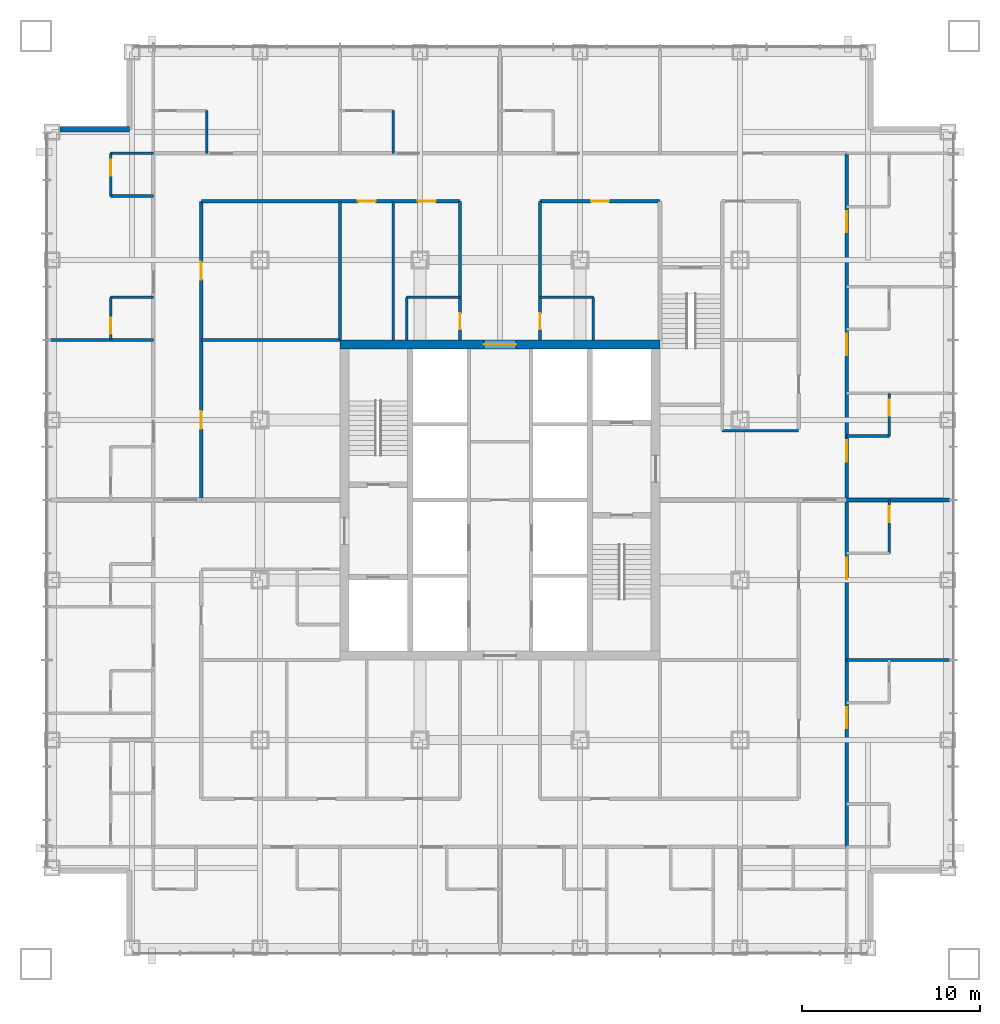
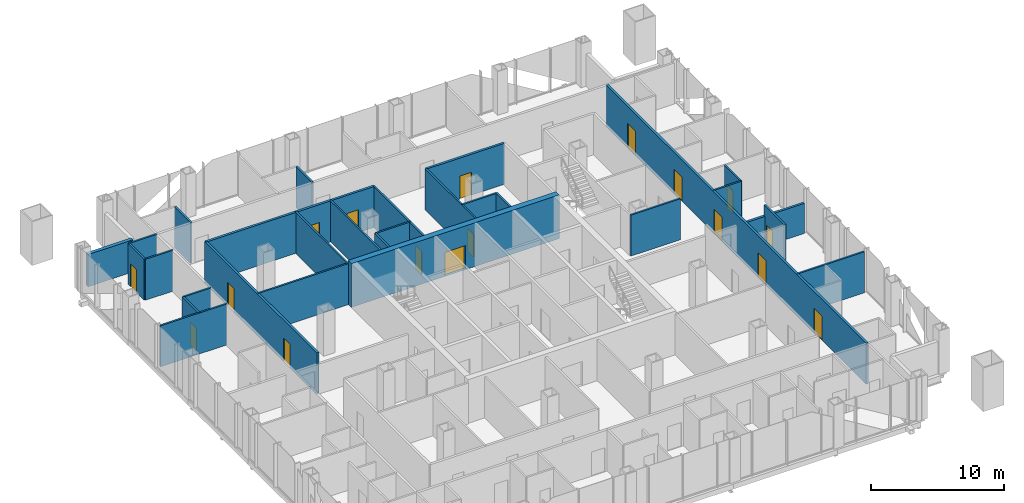
# One storey, part 10 of 13: 29 walls, 17 doors, 17 openings.
"""IFC4 building model written with IfcOpenShell, lengths in metres."""

from ifc_helpers import new_model, si_unit, direction, frame, frame_2d, origin, place, context, subcontext, project, spatial, rectangle, extrude, material, layer, layer_set, type_object, element, fill, save


model = new_model("IFC4")

# Units and contexts
model_context = context("Model", 3, precision=1e-05, world=origin(), true_north=direction((0.0, 1.0)))
body_context = subcontext(model_context, "Body", "Model", "MODEL_VIEW")
ifc_project = project(units=[si_unit("LENGTHUNIT", "METRE"), si_unit("AREAUNIT", "SQUARE_METRE"), si_unit("VOLUMEUNIT", "CUBIC_METRE"), si_unit("PLANEANGLEUNIT", "RADIAN"), si_unit("MASSUNIT", "GRAM", prefix="KILO")], contexts=[model_context])

# Site, building, storey
site_placement = place(None, origin())
site = spatial("IfcSite", under=ifc_project, at=site_placement, CompositionType="ELEMENT")
building_placement = place(site_placement, origin())
building = spatial("IfcBuilding", under=site, at=building_placement, Name="Malebo Sky Hospital", CompositionType="ELEMENT")
storey_placement = place(building_placement, frame((0.0, 0.0, 35.0)))
storey = spatial("IfcBuildingStorey", under=building, at=storey_placement, Name="L07", CompositionType="ELEMENT", Elevation=35.0)

# Wall, opening, door
ifc_material_1 = material(Name="Concrete C80/95", Category="concrete")
ifc_layer_1 = layer(ifc_material_1, 0.5)
ifc_layer_set_1 = layer_set([ifc_layer_1], Name="CORE WALL 500")
wall_type_1 = type_object("IfcWallType", Name="CORE WALL 500", PredefinedType="SHEAR", material=ifc_layer_set_1)
wall_1_placement = place(storey_placement, frame((51.0, 70.75, 0.0), z_axis=(0.0, 0.0, 1.0), x_axis=(1.0, 0.0, 0.0)))
wall_1 = element("IfcWall", 1, at=wall_1_placement, inside=storey, type_object=wall_type_1, Name="Core wall N L07", PredefinedType="SHEAR", context=body_context, shape_type="SweptSolid", body=[
    extrude(rectangle(XDim=18.0, YDim=0.5, at=frame_2d((9.0, 0.0))), origin(), (0.0, 0.0, 1.0), 4.0),
])
opening_1_placement = place(wall_1_placement, frame((8.10009765625, 0.0, 0.0)))
opening_1 = element("IfcOpeningElement", 2, at=opening_1_placement, cuts=wall_1, Name="Opening D06", PredefinedType="OPENING", context=body_context, shape_type="SweptSolid", body=[
    extrude(rectangle(XDim=1.800048828125, YDim=2.199951171875, at=frame_2d((0.89990234375, 1.10009765625))), frame((0.0, 0.260009765625, 0.0), z_axis=(0.0, -1.0, 0.0), x_axis=(1.0, 0.0, 0.0)), (0.0, 0.0, 1.0), 0.52001953125),
])
ifc_material_2 = material(Name="Hardwood-faced door leaf in steel frame", Category="steel")
door_type_1 = type_object("IfcDoorType", Name="LOBBY DOOR PAIR 1800", OperationType="DOUBLE_DOOR_SINGLE_SWING", PredefinedType="DOOR", material=ifc_material_2)
door_1_placement = place(opening_1_placement, origin())
door_1 = element("IfcDoor", 3, at=door_1_placement, inside=storey, type_object=door_type_1, Name="staff rest room door north", OperationType="DOUBLE_DOOR_SINGLE_SWING", OverallHeight=2.199951171875, OverallWidth=1.800048828125, PredefinedType="DOOR", context=body_context, shape_type="SweptSolid", body=[
    extrude(rectangle(XDim=1.800048828125, YDim=2.199951171875, at=frame_2d((0.89990234375, 1.10009765625))), frame((0.0, 0.02490234375, 0.0), z_axis=(0.0, -1.0, 0.0), x_axis=(1.0, 0.0, 0.0)), (0.0, 0.0, 1.0), 0.050048828125),
])
fill(opening_1, door_1)

# Wall, openings, doors
ifc_material_3 = material(Name="Gypsum board on steel studs", Category="steel")
ifc_layer_2 = layer(ifc_material_3, 0.199951171875)
ifc_layer_set_2 = layer_set([ifc_layer_2], Name="CORRIDOR WALL 200")
wall_type_2 = type_object("IfcWallType", Name="CORRIDOR WALL 200", PredefinedType="PARTITIONING", material=ifc_layer_set_2)
wall_2_placement = place(storey_placement, frame((43.199951171875, 78.800048828125, 0.0), z_axis=(0.0, 0.0, 1.0), x_axis=(1.0, 0.0, 0.0)))
wall_2 = element("IfcWall", 4, at=wall_2_placement, inside=storey, type_object=wall_type_2, Name="Corridor Wall 200 NCI1", PredefinedType="PARTITIONING", context=body_context, shape_type="SweptSolid", body=[
    extrude(rectangle(XDim=14.550048828125, YDim=0.199951171875, at=frame_2d((7.27490234375, 0.0))), origin(), (0.0, 0.0, 1.0), 3.75),
])
opening_2_placement = place(wall_2_placement, frame((8.800048828125, 0.0, 0.0)))
opening_2 = element("IfcOpeningElement", 5, at=opening_2_placement, cuts=wall_2, Name="Opening D03", PredefinedType="OPENING", context=body_context, shape_type="SweptSolid", body=[
    extrude(rectangle(XDim=1.0, YDim=2.10009765625, at=frame_2d((0.5, 1.050048828125))), frame((0.0, 0.10986328125, 0.0), z_axis=(0.0, -1.0, 0.0), x_axis=(1.0, 0.0, 0.0)), (0.0, 0.0, 1.0), 0.219970703125),
])
opening_3_placement = place(wall_2_placement, frame((12.175048828125, 0.0, 0.0)))
opening_3 = element("IfcOpeningElement", 6, at=opening_3_placement, cuts=wall_2, Name="Opening D03", PredefinedType="OPENING", context=body_context, shape_type="SweptSolid", body=[
    extrude(rectangle(XDim=1.0, YDim=2.10009765625, at=frame_2d((0.5, 1.050048828125))), frame((0.0, 0.10986328125, 0.0), z_axis=(0.0, -1.0, 0.0), x_axis=(1.0, 0.0, 0.0)), (0.0, 0.0, 1.0), 0.219970703125),
])
door_type_2 = type_object("IfcDoorType", Name="ROOM DOOR 1000", OperationType="SINGLE_SWING_LEFT", PredefinedType="DOOR", material=ifc_material_2)
door_2_placement = place(opening_2_placement, origin())
door_2 = element("IfcDoor", 7, at=door_2_placement, inside=storey, type_object=door_type_2, Name="Medication room door", OperationType="SINGLE_SWING_LEFT", OverallHeight=2.10009765625, OverallWidth=1.0, PredefinedType="DOOR", context=body_context, shape_type="SweptSolid", body=[
    extrude(rectangle(XDim=1.0, YDim=2.10009765625, at=frame_2d((0.5, 1.050048828125))), frame((0.0, 0.02490234375, 0.0), z_axis=(0.0, -1.0, 0.0), x_axis=(1.0, 0.0, 0.0)), (0.0, 0.0, 1.0), 0.050048828125),
])
fill(opening_2, door_2)
door_3_placement = place(opening_3_placement, origin())
door_3 = element("IfcDoor", 8, at=door_3_placement, inside=storey, type_object=door_type_2, Name="Linen store door", OperationType="SINGLE_SWING_LEFT", OverallHeight=2.10009765625, OverallWidth=1.0, PredefinedType="DOOR", context=body_context, shape_type="SweptSolid", body=[
    extrude(rectangle(XDim=1.0, YDim=2.10009765625, at=frame_2d((0.5, 1.050048828125))), frame((0.0, 0.02490234375, 0.0), z_axis=(0.0, -1.0, 0.0), x_axis=(1.0, 0.0, 0.0)), (0.0, 0.0, 1.0), 0.050048828125),
])
fill(opening_3, door_3)

# Wall, opening, door
wall_3_placement = place(storey_placement, frame((62.25, 78.800048828125, 0.0), z_axis=(0.0, 0.0, 1.0), x_axis=(1.0, 0.0, 0.0)))
wall_3 = element("IfcWall", 9, at=wall_3_placement, inside=storey, type_object=wall_type_2, Name="Corridor Wall 200 NCI2", PredefinedType="PARTITIONING", context=body_context, shape_type="SweptSolid", body=[
    extrude(rectangle(XDim=6.75, YDim=0.199951171875, at=frame_2d((3.375, 0.0))), origin(), (0.0, 0.0, 1.0), 3.75),
])
opening_4_placement = place(wall_3_placement, frame((2.875, 0.0, 0.0)))
opening_4 = element("IfcOpeningElement", 10, at=opening_4_placement, cuts=wall_3, Name="Opening D03", PredefinedType="OPENING", context=body_context, shape_type="SweptSolid", body=[
    extrude(rectangle(XDim=1.0, YDim=2.10009765625, at=frame_2d((0.5, 1.050048828125))), frame((0.0, 0.10986328125, 0.0), z_axis=(0.0, -1.0, 0.0), x_axis=(1.0, 0.0, 0.0)), (0.0, 0.0, 1.0), 0.219970703125),
])
door_4_placement = place(opening_4_placement, origin())
door_4 = element("IfcDoor", 11, at=door_4_placement, inside=storey, type_object=door_type_2, Name="Patient assessment room door", OperationType="SINGLE_SWING_RIGHT", OverallHeight=2.10009765625, OverallWidth=1.0, PredefinedType="DOOR", context=body_context, shape_type="SweptSolid", body=[
    extrude(rectangle(XDim=1.0, YDim=2.10009765625, at=frame_2d((0.5, 1.050048828125))), frame((0.0, 0.02490234375, 0.0), z_axis=(0.0, -1.0, 0.0), x_axis=(1.0, 0.0, 0.0)), (0.0, 0.0, 1.0), 0.050048828125),
])
fill(opening_4, door_4)

# Wall, openings, doors
wall_4_placement = place(storey_placement, frame((43.199951171875, 62.0, 0.0), z_axis=(0.0, 0.0, 1.0), x_axis=(0.0, 1.0, 0.0)))
wall_4 = element("IfcWall", 12, at=wall_4_placement, inside=storey, type_object=wall_type_2, Name="Corridor Wall 200 WCI2", PredefinedType="PARTITIONING", context=body_context, shape_type="SweptSolid", body=[
    extrude(rectangle(XDim=16.800048828125, YDim=0.199951171875, at=frame_2d((8.39990234375, 0.0))), origin(), (0.0, 0.0, 1.0), 3.75),
])
opening_5_placement = place(wall_4_placement, frame((4.0, 0.0, 0.0)))
opening_5 = element("IfcOpeningElement", 13, at=opening_5_placement, cuts=wall_4, Name="Opening D03", PredefinedType="OPENING", context=body_context, shape_type="SweptSolid", body=[
    extrude(rectangle(XDim=1.0, YDim=2.10009765625, at=frame_2d((0.5, 1.050048828125))), frame((0.0, 0.10986328125, 0.0), z_axis=(0.0, -1.0, 0.0), x_axis=(1.0, 0.0, 0.0)), (0.0, 0.0, 1.0), 0.219970703125),
])
opening_6_placement = place(wall_4_placement, frame((12.39990234375, 0.0, 0.0)))
opening_6 = element("IfcOpeningElement", 14, at=opening_6_placement, cuts=wall_4, Name="Opening D03", PredefinedType="OPENING", context=body_context, shape_type="SweptSolid", body=[
    extrude(rectangle(XDim=1.0, YDim=2.10009765625, at=frame_2d((0.5, 1.050048828125))), frame((0.0, 0.10986328125, 0.0), z_axis=(0.0, -1.0, 0.0), x_axis=(1.0, 0.0, 0.0)), (0.0, 0.0, 1.0), 0.219970703125),
])
door_5_placement = place(opening_5_placement, origin())
door_5 = element("IfcDoor", 15, at=door_5_placement, inside=storey, type_object=door_type_2, Name="Nurse station door", OperationType="SINGLE_SWING_LEFT", OverallHeight=2.10009765625, OverallWidth=1.0, PredefinedType="DOOR", context=body_context, shape_type="SweptSolid", body=[
    extrude(rectangle(XDim=1.0, YDim=2.10009765625, at=frame_2d((0.5, 1.050048828125))), frame((0.0, 0.02490234375, 0.0), z_axis=(0.0, -1.0, 0.0), x_axis=(1.0, 0.0, 0.0)), (0.0, 0.0, 1.0), 0.050048828125),
])
fill(opening_5, door_5)
door_6_placement = place(opening_6_placement, origin())
door_6 = element("IfcDoor", 16, at=door_6_placement, inside=storey, type_object=door_type_2, Name="Consulting room door", OperationType="SINGLE_SWING_RIGHT", OverallHeight=2.10009765625, OverallWidth=1.0, PredefinedType="DOOR", context=body_context, shape_type="SweptSolid", body=[
    extrude(rectangle(XDim=1.0, YDim=2.10009765625, at=frame_2d((0.5, 1.050048828125))), frame((0.0, 0.02490234375, 0.0), z_axis=(0.0, -1.0, 0.0), x_axis=(1.0, 0.0, 0.0)), (0.0, 0.0, 1.0), 0.050048828125),
])
fill(opening_6, door_6)

wall_5_placement = place(storey_placement, frame((79.5, 81.5, 0.0), z_axis=(0.0, 0.0, 1.0), x_axis=(0.0, -1.0, 0.0)))
wall_5 = element("IfcWall", 17, at=wall_5_placement, inside=storey, type_object=wall_type_2, Name="Corridor Wall 200 ECO", PredefinedType="PARTITIONING", context=body_context, shape_type="SweptSolid", body=[
    extrude(rectangle(XDim=39.0, YDim=0.199951171875, at=frame_2d((19.5, 0.0))), origin(), (0.0, 0.0, 1.0), 3.75),
])
opening_7_placement = place(wall_5_placement, frame((3.25, 0.0, 0.0)))
opening_7 = element("IfcOpeningElement", 18, at=opening_7_placement, cuts=wall_5, Name="Opening D01", PredefinedType="OPENING", context=body_context, shape_type="SweptSolid", body=[
    extrude(rectangle(XDim=1.199951171875, YDim=2.199951171875, at=frame_2d((0.60009765625, 1.10009765625))), frame((0.0, 0.10986328125, 0.0), z_axis=(0.0, -1.0, 0.0), x_axis=(1.0, 0.0, 0.0)), (0.0, 0.0, 1.0), 0.219970703125),
])
opening_8_placement = place(wall_5_placement, frame((10.14990234375, 0.0, 0.0)))
opening_8 = element("IfcOpeningElement", 19, at=opening_8_placement, cuts=wall_5, Name="Opening D01", PredefinedType="OPENING", context=body_context, shape_type="SweptSolid", body=[
    extrude(rectangle(XDim=1.199951171875, YDim=2.199951171875, at=frame_2d((0.60009765625, 1.10009765625))), frame((0.0, 0.10986328125, 0.0), z_axis=(0.0, -1.0, 0.0), x_axis=(1.0, 0.0, 0.0)), (0.0, 0.0, 1.0), 0.219970703125),
])
opening_9_placement = place(wall_5_placement, frame((16.14990234375, 0.0, 0.0)))
opening_9 = element("IfcOpeningElement", 20, at=opening_9_placement, cuts=wall_5, Name="Opening D01", PredefinedType="OPENING", context=body_context, shape_type="SweptSolid", body=[
    extrude(rectangle(XDim=1.199951171875, YDim=2.199951171875, at=frame_2d((0.60009765625, 1.10009765625))), frame((0.0, 0.10986328125, 0.0), z_axis=(0.0, -1.0, 0.0), x_axis=(1.0, 0.0, 0.0)), (0.0, 0.0, 1.0), 0.219970703125),
])
opening_10_placement = place(wall_5_placement, frame((22.75, 0.0, 0.0)))
opening_10 = element("IfcOpeningElement", 21, at=opening_10_placement, cuts=wall_5, Name="Opening D01", PredefinedType="OPENING", context=body_context, shape_type="SweptSolid", body=[
    extrude(rectangle(XDim=1.199951171875, YDim=2.199951171875, at=frame_2d((0.60009765625, 1.10009765625))), frame((0.0, 0.10986328125, 0.0), z_axis=(0.0, -1.0, 0.0), x_axis=(1.0, 0.0, 0.0)), (0.0, 0.0, 1.0), 0.219970703125),
])
opening_11_placement = place(wall_5_placement, frame((31.14990234375, 0.0, 0.0)))
opening_11 = element("IfcOpeningElement", 22, at=opening_11_placement, cuts=wall_5, Name="Opening D01", PredefinedType="OPENING", context=body_context, shape_type="SweptSolid", body=[
    extrude(rectangle(XDim=1.199951171875, YDim=2.199951171875, at=frame_2d((0.60009765625, 1.10009765625))), frame((0.0, 0.10986328125, 0.0), z_axis=(0.0, -1.0, 0.0), x_axis=(1.0, 0.0, 0.0)), (0.0, 0.0, 1.0), 0.219970703125),
])
door_type_3 = type_object("IfcDoorType", Name="BED DOOR 1200", OperationType="SINGLE_SWING_LEFT", PredefinedType="DOOR", material=ifc_material_2)
door_7_placement = place(opening_7_placement, origin())
door_7 = element("IfcDoor", 23, at=door_7_placement, inside=storey, type_object=door_type_3, Name="Single bed room door", OperationType="SINGLE_SWING_LEFT", OverallHeight=2.199951171875, OverallWidth=1.199951171875, PredefinedType="DOOR", context=body_context, shape_type="SweptSolid", body=[
    extrude(rectangle(XDim=1.199951171875, YDim=2.199951171875, at=frame_2d((0.60009765625, 1.10009765625))), frame((0.0, 0.02490234375, 0.0), z_axis=(0.0, -1.0, 0.0), x_axis=(1.0, 0.0, 0.0)), (0.0, 0.0, 1.0), 0.050048828125),
])
fill(opening_7, door_7)
door_8_placement = place(opening_8_placement, origin())
door_8 = element("IfcDoor", 24, at=door_8_placement, inside=storey, type_object=door_type_3, Name="Single bed room door", OperationType="SINGLE_SWING_LEFT", OverallHeight=2.199951171875, OverallWidth=1.199951171875, PredefinedType="DOOR", context=body_context, shape_type="SweptSolid", body=[
    extrude(rectangle(XDim=1.199951171875, YDim=2.199951171875, at=frame_2d((0.60009765625, 1.10009765625))), frame((0.0, 0.02490234375, 0.0), z_axis=(0.0, -1.0, 0.0), x_axis=(1.0, 0.0, 0.0)), (0.0, 0.0, 1.0), 0.050048828125),
])
fill(opening_8, door_8)
door_9_placement = place(opening_9_placement, origin())
door_9 = element("IfcDoor", 25, at=door_9_placement, inside=storey, type_object=door_type_3, Name="Single bed room door", OperationType="SINGLE_SWING_LEFT", OverallHeight=2.199951171875, OverallWidth=1.199951171875, PredefinedType="DOOR", context=body_context, shape_type="SweptSolid", body=[
    extrude(rectangle(XDim=1.199951171875, YDim=2.199951171875, at=frame_2d((0.60009765625, 1.10009765625))), frame((0.0, 0.02490234375, 0.0), z_axis=(0.0, -1.0, 0.0), x_axis=(1.0, 0.0, 0.0)), (0.0, 0.0, 1.0), 0.050048828125),
])
fill(opening_9, door_9)
door_10_placement = place(opening_10_placement, origin())
door_10 = element("IfcDoor", 26, at=door_10_placement, inside=storey, type_object=door_type_3, Name="Two-bed room door", OperationType="SINGLE_SWING_LEFT", OverallHeight=2.199951171875, OverallWidth=1.199951171875, PredefinedType="DOOR", context=body_context, shape_type="SweptSolid", body=[
    extrude(rectangle(XDim=1.199951171875, YDim=2.199951171875, at=frame_2d((0.60009765625, 1.10009765625))), frame((0.0, 0.02490234375, 0.0), z_axis=(0.0, -1.0, 0.0), x_axis=(1.0, 0.0, 0.0)), (0.0, 0.0, 1.0), 0.050048828125),
])
fill(opening_10, door_10)
door_11_placement = place(opening_11_placement, origin())
door_11 = element("IfcDoor", 27, at=door_11_placement, inside=storey, type_object=door_type_3, Name="Four-bed bay door", OperationType="SINGLE_SWING_LEFT", OverallHeight=2.199951171875, OverallWidth=1.199951171875, PredefinedType="DOOR", context=body_context, shape_type="SweptSolid", body=[
    extrude(rectangle(XDim=1.199951171875, YDim=2.199951171875, at=frame_2d((0.60009765625, 1.10009765625))), frame((0.0, 0.02490234375, 0.0), z_axis=(0.0, -1.0, 0.0), x_axis=(1.0, 0.0, 0.0)), (0.0, 0.0, 1.0), 0.050048828125),
])
fill(opening_11, door_11)

# Walls
ifc_material_4 = material(Name="Anodised aluminium rainscreen on steel framing", Category="steel")
ifc_layer_3 = layer(ifc_material_4, 0.300048828125)
ifc_layer_set_3 = layer_set([ifc_layer_3], Name="NOTCH RAINSCREEN WALL 300")
wall_type_3 = type_object("IfcWallType", Name="NOTCH RAINSCREEN WALL 300", PredefinedType="ELEMENTEDWALL", material=ifc_layer_set_3)
wall_6_placement = place(storey_placement, frame((35.25, 82.85009765625, 0.0), z_axis=(0.0, 0.0, 1.0), x_axis=(1.0, 0.0, 0.0)))
element("IfcWall", 28, at=wall_6_placement, inside=storey, type_object=wall_type_3, Name="Notch rainscreen wall W1 L07", PredefinedType="ELEMENTEDWALL", context=body_context, shape_type="SweptSolid", body=[
    extrude(rectangle(XDim=3.89990234375, YDim=0.300048828125, at=frame_2d((1.949951171875, 0.0))), origin(), (0.0, 0.0, 1.0), 2.949951171875),
])
ifc_layer_4 = layer(ifc_material_3, 0.14990234375)
ifc_layer_set_4 = layer_set([ifc_layer_4], Name="PARTITION 150")
wall_type_4 = type_object("IfcWallType", Name="PARTITION 150", PredefinedType="PARTITIONING", material=ifc_layer_set_4)
for number, where, z_axis, x_axis, name in (
    (29, (43.5, 81.5, 0.0), (0.0, 0.0, 1.0), (0.0, 1.0, 0.0), "Partition 150 NE0S"),
    (30, (54.0, 81.5, 0.0), (0.0, 0.0, 1.0), (0.0, 1.0, 0.0), "Partition 150 NE1S"),
):
    element("IfcWall", number, at=place(storey_placement, frame(where, z_axis=z_axis, x_axis=x_axis)), inside=storey, type_object=wall_type_4, Name=name, PredefinedType="PARTITIONING", context=body_context, shape_type="SweptSolid", body=[
        extrude(rectangle(XDim=2.39990234375, YDim=0.14990234375, at=frame_2d((1.199951171875, 0.0))), origin(), (0.0, 0.0, 1.0), 3.75),
    ])
wall_7_placement = place(storey_placement, frame((51.0, 71.0, 0.0), z_axis=(0.0, 0.0, 1.0), x_axis=(0.0, 1.0, 0.0)))
element("IfcWall", 31, at=wall_7_placement, inside=storey, type_object=wall_type_4, Name="Partition 150 NSP0", PredefinedType="PARTITIONING", context=body_context, shape_type="SweptSolid", body=[
    extrude(rectangle(XDim=7.800048828125, YDim=0.14990234375, at=frame_2d((3.89990234375, 0.0))), origin(), (0.0, 0.0, 1.0), 3.75),
])

# Wall, opening, door
wall_8_placement = place(storey_placement, frame((57.75, 71.0, 0.0), z_axis=(0.0, 0.0, 1.0), x_axis=(0.0, 1.0, 0.0)))
wall_8 = element("IfcWall", 32, at=wall_8_placement, inside=storey, type_object=wall_type_4, Name="Partition 150 NSPA", PredefinedType="PARTITIONING", context=body_context, shape_type="SweptSolid", body=[
    extrude(rectangle(XDim=7.800048828125, YDim=0.14990234375, at=frame_2d((3.89990234375, 0.0))), origin(), (0.0, 0.0, 1.0), 3.75),
])
opening_12_placement = place(wall_8_placement, frame((0.60009765625, 0.0, 0.0)))
opening_12 = element("IfcOpeningElement", 33, at=opening_12_placement, cuts=wall_8, Name="Opening D04", PredefinedType="OPENING", context=body_context, shape_type="SweptSolid", body=[
    extrude(rectangle(XDim=0.89990234375, YDim=2.10009765625, at=frame_2d((0.449951171875, 1.050048828125))), frame((0.0, 0.0849609375, 0.0), z_axis=(0.0, -1.0, 0.0), x_axis=(1.0, 0.0, 0.0)), (0.0, 0.0, 1.0), 0.169921875),
])
door_type_4 = type_object("IfcDoorType", Name="ROOM DOOR 900", OperationType="SINGLE_SWING_LEFT", PredefinedType="DOOR", material=ifc_material_2)
door_12_placement = place(opening_12_placement, origin())
door_12 = element("IfcDoor", 34, at=door_12_placement, inside=storey, type_object=door_type_4, Name="Staff WC door", OperationType="SINGLE_SWING_LEFT", OverallHeight=2.10009765625, OverallWidth=0.89990234375, PredefinedType="DOOR", context=body_context, shape_type="SweptSolid", body=[
    extrude(rectangle(XDim=0.89990234375, YDim=2.10009765625, at=frame_2d((0.449951171875, 1.050048828125))), frame((0.0, 0.02490234375, 0.0), z_axis=(0.0, -1.0, 0.0), x_axis=(1.0, 0.0, 0.0)), (0.0, 0.0, 1.0), 0.050048828125),
])
fill(opening_12, door_12)

wall_9_placement = place(storey_placement, frame((62.25, 71.0, 0.0), z_axis=(0.0, 0.0, 1.0), x_axis=(0.0, 1.0, 0.0)))
wall_9 = element("IfcWall", 35, at=wall_9_placement, inside=storey, type_object=wall_type_4, Name="Partition 150 NSPB", PredefinedType="PARTITIONING", context=body_context, shape_type="SweptSolid", body=[
    extrude(rectangle(XDim=7.800048828125, YDim=0.14990234375, at=frame_2d((3.89990234375, 0.0))), origin(), (0.0, 0.0, 1.0), 3.75),
])
opening_13_placement = place(wall_9_placement, frame((0.60009765625, 0.0, 0.0)))
opening_13 = element("IfcOpeningElement", 36, at=opening_13_placement, cuts=wall_9, Name="Opening D04", PredefinedType="OPENING", context=body_context, shape_type="SweptSolid", body=[
    extrude(rectangle(XDim=0.89990234375, YDim=2.10009765625, at=frame_2d((0.449951171875, 1.050048828125))), frame((0.0, 0.0849609375, 0.0), z_axis=(0.0, -1.0, 0.0), x_axis=(1.0, 0.0, 0.0)), (0.0, 0.0, 1.0), 0.169921875),
])
door_13_placement = place(opening_13_placement, origin())
door_13 = element("IfcDoor", 37, at=door_13_placement, inside=storey, type_object=door_type_4, Name="Accessible WC door", OperationType="SINGLE_SWING_LEFT", OverallHeight=2.10009765625, OverallWidth=0.89990234375, PredefinedType="DOOR", context=body_context, shape_type="SweptSolid", body=[
    extrude(rectangle(XDim=0.89990234375, YDim=2.10009765625, at=frame_2d((0.449951171875, 1.050048828125))), frame((0.0, 0.02490234375, 0.0), z_axis=(0.0, -1.0, 0.0), x_axis=(1.0, 0.0, 0.0)), (0.0, 0.0, 1.0), 0.050048828125),
])
fill(opening_13, door_13)

# Walls
wall_10_placement = place(storey_placement, frame((54.0, 71.0, 0.0), z_axis=(0.0, 0.0, 1.0), x_axis=(0.0, 1.0, 0.0)))
element("IfcWall", 38, at=wall_10_placement, inside=storey, type_object=wall_type_4, Name="Partition 150 NSP-6.0", PredefinedType="PARTITIONING", context=body_context, shape_type="SweptSolid", body=[
    extrude(rectangle(XDim=7.800048828125, YDim=0.14990234375, at=frame_2d((3.89990234375, 0.0))), origin(), (0.0, 0.0, 1.0), 3.75),
])
wall_11_placement = place(storey_placement, frame((54.75, 73.39990234375, 0.0), z_axis=(0.0, 0.0, 1.0), x_axis=(1.0, 0.0, 0.0)))
element("IfcWall", 39, at=wall_11_placement, inside=storey, type_object=wall_type_4, Name="Partition 150 NSX1", PredefinedType="PARTITIONING", context=body_context, shape_type="SweptSolid", body=[
    extrude(rectangle(XDim=3.0, YDim=0.14990234375, at=frame_2d((1.5, 0.0))), origin(), (0.0, 0.0, 1.0), 3.75),
])
wall_12_placement = place(storey_placement, frame((54.75, 71.0, 0.0), z_axis=(0.0, 0.0, 1.0), x_axis=(0.0, 1.0, 0.0)))
element("IfcWall", 40, at=wall_12_placement, inside=storey, type_object=wall_type_4, Name="Partition 150 NSY1", PredefinedType="PARTITIONING", context=body_context, shape_type="SweptSolid", body=[
    extrude(rectangle(XDim=2.39990234375, YDim=0.14990234375, at=frame_2d((1.199951171875, 0.0))), origin(), (0.0, 0.0, 1.0), 3.75),
])
wall_13_placement = place(storey_placement, frame((62.25, 73.39990234375, 0.0), z_axis=(0.0, 0.0, 1.0), x_axis=(1.0, 0.0, 0.0)))
element("IfcWall", 41, at=wall_13_placement, inside=storey, type_object=wall_type_4, Name="Partition 150 NSX2", PredefinedType="PARTITIONING", context=body_context, shape_type="SweptSolid", body=[
    extrude(rectangle(XDim=3.0, YDim=0.14990234375, at=frame_2d((1.5, 0.0))), origin(), (0.0, 0.0, 1.0), 3.75),
])
wall_14_placement = place(storey_placement, frame((65.25, 71.0, 0.0), z_axis=(0.0, 0.0, 1.0), x_axis=(0.0, 1.0, 0.0)))
element("IfcWall", 42, at=wall_14_placement, inside=storey, type_object=wall_type_4, Name="Partition 150 NSY2", PredefinedType="PARTITIONING", context=body_context, shape_type="SweptSolid", body=[
    extrude(rectangle(XDim=2.39990234375, YDim=0.14990234375, at=frame_2d((1.199951171875, 0.0))), origin(), (0.0, 0.0, 1.0), 3.75),
])
wall_15_placement = place(storey_placement, frame((40.5, 71.0, 0.0), z_axis=(0.0, 0.0, 1.0), x_axis=(-1.0, 0.0, 0.0)))
element("IfcWall", 43, at=wall_15_placement, inside=storey, type_object=wall_type_4, Name="Partition 150 WP+9.0", PredefinedType="PARTITIONING", context=body_context, shape_type="SweptSolid", body=[
    extrude(rectangle(XDim=5.77490234375, YDim=0.14990234375, at=frame_2d((2.887451171875, 0.0))), origin(), (0.0, 0.0, 1.0), 3.75),
])

# Wall, opening, door
wall_16_placement = place(storey_placement, frame((38.10009765625, 71.0, 0.0), z_axis=(0.0, 0.0, 1.0), x_axis=(0.0, 1.0, 0.0)))
wall_16 = element("IfcWall", 44, at=wall_16_placement, inside=storey, type_object=wall_type_4, Name="Partition 150 WE4F", PredefinedType="PARTITIONING", context=body_context, shape_type="SweptSolid", body=[
    extrude(rectangle(XDim=2.39990234375, YDim=0.14990234375, at=frame_2d((1.199951171875, 0.0))), origin(), (0.0, 0.0, 1.0), 3.75),
])
opening_14_placement = place(wall_16_placement, frame((0.35009765625, 0.0, 0.0)))
opening_14 = element("IfcOpeningElement", 45, at=opening_14_placement, cuts=wall_16, Name="Opening D02", PredefinedType="OPENING", context=body_context, shape_type="SweptSolid", body=[
    extrude(rectangle(XDim=0.89990234375, YDim=2.10009765625, at=frame_2d((0.449951171875, 1.050048828125))), frame((0.0, 0.0849609375, 0.0), z_axis=(0.0, -1.0, 0.0), x_axis=(1.0, 0.0, 0.0)), (0.0, 0.0, 1.0), 0.169921875),
])
door_type_5 = type_object("IfcDoorType", Name="EN-SUITE DOOR 900", OperationType="SINGLE_SWING_LEFT", PredefinedType="DOOR", material=ifc_material_2)
door_14_placement = place(opening_14_placement, origin())
door_14 = element("IfcDoor", 46, at=door_14_placement, inside=storey, type_object=door_type_5, Name="En-suite door", OperationType="SINGLE_SWING_LEFT", OverallHeight=2.10009765625, OverallWidth=0.89990234375, PredefinedType="DOOR", context=body_context, shape_type="SweptSolid", body=[
    extrude(rectangle(XDim=0.89990234375, YDim=2.10009765625, at=frame_2d((0.449951171875, 1.050048828125))), frame((0.0, 0.02490234375, 0.0), z_axis=(0.0, -1.0, 0.0), x_axis=(1.0, 0.0, 0.0)), (0.0, 0.0, 1.0), 0.050048828125),
])
fill(opening_14, door_14)

# Wall
wall_17_placement = place(storey_placement, frame((40.5, 73.39990234375, 0.0), z_axis=(0.0, 0.0, 1.0), x_axis=(-1.0, 0.0, 0.0)))
element("IfcWall", 47, at=wall_17_placement, inside=storey, type_object=wall_type_4, Name="Partition 150 WE4S", PredefinedType="PARTITIONING", context=body_context, shape_type="SweptSolid", body=[
    extrude(rectangle(XDim=2.39990234375, YDim=0.14990234375, at=frame_2d((1.199951171875, 0.0))), origin(), (0.0, 0.0, 1.0), 3.75),
])

# Wall, opening, door
wall_18_placement = place(storey_placement, frame((38.10009765625, 79.10009765625, 0.0), z_axis=(0.0, 0.0, 1.0), x_axis=(0.0, 1.0, 0.0)))
wall_18 = element("IfcWall", 48, at=wall_18_placement, inside=storey, type_object=wall_type_4, Name="Partition 150 WG4F", PredefinedType="PARTITIONING", context=body_context, shape_type="SweptSolid", body=[
    extrude(rectangle(XDim=2.39990234375, YDim=0.14990234375, at=frame_2d((1.199951171875, 0.0))), origin(), (0.0, 0.0, 1.0), 3.75),
])
opening_15_placement = place(wall_18_placement, frame((1.14990234375, 0.0, 0.0)))
opening_15 = element("IfcOpeningElement", 49, at=opening_15_placement, cuts=wall_18, Name="Opening D02", PredefinedType="OPENING", context=body_context, shape_type="SweptSolid", body=[
    extrude(rectangle(XDim=0.89990234375, YDim=2.10009765625, at=frame_2d((0.449951171875, 1.050048828125))), frame((0.0, 0.0849609375, 0.0), z_axis=(0.0, -1.0, 0.0), x_axis=(1.0, 0.0, 0.0)), (0.0, 0.0, 1.0), 0.169921875),
])
door_15_placement = place(opening_15_placement, origin())
door_15 = element("IfcDoor", 50, at=door_15_placement, inside=storey, type_object=door_type_5, Name="En-suite door", OperationType="SINGLE_SWING_RIGHT", OverallHeight=2.10009765625, OverallWidth=0.89990234375, PredefinedType="DOOR", context=body_context, shape_type="SweptSolid", body=[
    extrude(rectangle(XDim=0.89990234375, YDim=2.10009765625, at=frame_2d((0.449951171875, 1.050048828125))), frame((0.0, 0.02490234375, 0.0), z_axis=(0.0, -1.0, 0.0), x_axis=(1.0, 0.0, 0.0)), (0.0, 0.0, 1.0), 0.050048828125),
])
fill(opening_15, door_15)

# Walls
for number, where, z_axis, x_axis, name in (
    (51, (40.5, 79.10009765625, 0.0), (0.0, 0.0, 1.0), (-1.0, 0.0, 0.0), "Partition 150 WG4S"),
    (52, (40.5, 81.5, 0.0), (0.0, 0.0, 1.0), (-1.0, 0.0, 0.0), "Partition 150 WEZ"),
):
    element("IfcWall", number, at=place(storey_placement, frame(where, z_axis=z_axis, x_axis=x_axis)), inside=storey, type_object=wall_type_4, Name=name, PredefinedType="PARTITIONING", context=body_context, shape_type="SweptSolid", body=[
        extrude(rectangle(XDim=2.39990234375, YDim=0.14990234375, at=frame_2d((1.199951171875, 0.0))), origin(), (0.0, 0.0, 1.0), 3.75),
    ])
wall_19_placement = place(storey_placement, frame((51.0, 71.0, 0.0), z_axis=(0.0, 0.0, 1.0), x_axis=(-1.0, 0.0, 0.0)))
element("IfcWall", 53, at=wall_19_placement, inside=storey, type_object=wall_type_4, Name="Partition 150 WSP+9.0", PredefinedType="PARTITIONING", context=body_context, shape_type="SweptSolid", body=[
    extrude(rectangle(XDim=7.800048828125, YDim=0.14990234375, at=frame_2d((3.89990234375, 0.0))), origin(), (0.0, 0.0, 1.0), 3.75),
])
wall_20_placement = place(storey_placement, frame((79.5, 53.0, 0.0), z_axis=(0.0, 0.0, 1.0), x_axis=(1.0, 0.0, 0.0)))
element("IfcWall", 54, at=wall_20_placement, inside=storey, type_object=wall_type_4, Name="Partition 150 EP+9.0", PredefinedType="PARTITIONING", context=body_context, shape_type="SweptSolid", body=[
    extrude(rectangle(XDim=5.77490234375, YDim=0.14990234375, at=frame_2d((2.887451171875, 0.0))), origin(), (0.0, 0.0, 1.0), 3.75),
])

# Wall, opening, door
wall_21_placement = place(storey_placement, frame((81.89990234375, 68.0, 0.0), z_axis=(0.0, 0.0, 1.0), x_axis=(0.0, -1.0, 0.0)))
wall_21 = element("IfcWall", 55, at=wall_21_placement, inside=storey, type_object=wall_type_4, Name="Partition 150 EE2F", PredefinedType="PARTITIONING", context=body_context, shape_type="SweptSolid", body=[
    extrude(rectangle(XDim=2.39990234375, YDim=0.14990234375, at=frame_2d((1.199951171875, 0.0))), origin(), (0.0, 0.0, 1.0), 3.75),
])
opening_16_placement = place(wall_21_placement, frame((0.35009765625, 0.0, 0.0)))
opening_16 = element("IfcOpeningElement", 56, at=opening_16_placement, cuts=wall_21, Name="Opening D02", PredefinedType="OPENING", context=body_context, shape_type="SweptSolid", body=[
    extrude(rectangle(XDim=0.89990234375, YDim=2.10009765625, at=frame_2d((0.449951171875, 1.050048828125))), frame((0.0, 0.0849609375, 0.0), z_axis=(0.0, -1.0, 0.0), x_axis=(1.0, 0.0, 0.0)), (0.0, 0.0, 1.0), 0.169921875),
])
door_16_placement = place(opening_16_placement, origin())
door_16 = element("IfcDoor", 57, at=door_16_placement, inside=storey, type_object=door_type_5, Name="En-suite door", OperationType="SINGLE_SWING_LEFT", OverallHeight=2.10009765625, OverallWidth=0.89990234375, PredefinedType="DOOR", context=body_context, shape_type="SweptSolid", body=[
    extrude(rectangle(XDim=0.89990234375, YDim=2.10009765625, at=frame_2d((0.449951171875, 1.050048828125))), frame((0.0, 0.02490234375, 0.0), z_axis=(0.0, -1.0, 0.0), x_axis=(1.0, 0.0, 0.0)), (0.0, 0.0, 1.0), 0.050048828125),
])
fill(opening_16, door_16)

# Wall
wall_22_placement = place(storey_placement, frame((79.5, 65.60009765625, 0.0), z_axis=(0.0, 0.0, 1.0), x_axis=(1.0, 0.0, 0.0)))
element("IfcWall", 58, at=wall_22_placement, inside=storey, type_object=wall_type_4, Name="Partition 150 EE2S", PredefinedType="PARTITIONING", context=body_context, shape_type="SweptSolid", body=[
    extrude(rectangle(XDim=2.39990234375, YDim=0.14990234375, at=frame_2d((1.199951171875, 0.0))), origin(), (0.0, 0.0, 1.0), 3.75),
])

# Wall, opening, door
wall_23_placement = place(storey_placement, frame((81.89990234375, 62.0, 0.0), z_axis=(0.0, 0.0, 1.0), x_axis=(0.0, -1.0, 0.0)))
wall_23 = element("IfcWall", 59, at=wall_23_placement, inside=storey, type_object=wall_type_4, Name="Partition 150 EE3F", PredefinedType="PARTITIONING", context=body_context, shape_type="SweptSolid", body=[
    extrude(rectangle(XDim=3.0, YDim=0.14990234375, at=frame_2d((1.5, 0.0))), origin(), (0.0, 0.0, 1.0), 3.75),
])
opening_17_placement = place(wall_23_placement, frame((0.35009765625, 0.0, 0.0)))
opening_17 = element("IfcOpeningElement", 60, at=opening_17_placement, cuts=wall_23, Name="Opening D02", PredefinedType="OPENING", context=body_context, shape_type="SweptSolid", body=[
    extrude(rectangle(XDim=0.89990234375, YDim=2.10009765625, at=frame_2d((0.449951171875, 1.050048828125))), frame((0.0, 0.0849609375, 0.0), z_axis=(0.0, -1.0, 0.0), x_axis=(1.0, 0.0, 0.0)), (0.0, 0.0, 1.0), 0.169921875),
])
door_17_placement = place(opening_17_placement, origin())
door_17 = element("IfcDoor", 61, at=door_17_placement, inside=storey, type_object=door_type_5, Name="En-suite door", OperationType="SINGLE_SWING_LEFT", OverallHeight=2.10009765625, OverallWidth=0.89990234375, PredefinedType="DOOR", context=body_context, shape_type="SweptSolid", body=[
    extrude(rectangle(XDim=0.89990234375, YDim=2.10009765625, at=frame_2d((0.449951171875, 1.050048828125))), frame((0.0, 0.02490234375, 0.0), z_axis=(0.0, -1.0, 0.0), x_axis=(1.0, 0.0, 0.0)), (0.0, 0.0, 1.0), 0.050048828125),
])
fill(opening_17, door_17)

# Walls
wall_24_placement = place(storey_placement, frame((72.5, 65.89990234375, 0.0), z_axis=(0.0, 0.0, 1.0), x_axis=(1.0, 0.0, 0.0)))
element("IfcWall", 62, at=wall_24_placement, inside=storey, type_object=wall_type_4, Name="Partition 150 ESPA", PredefinedType="PARTITIONING", context=body_context, shape_type="SweptSolid", body=[
    extrude(rectangle(XDim=4.300048828125, YDim=0.14990234375, at=frame_2d((2.14990234375, 0.0))), origin(), (0.0, 0.0, 1.0), 3.75),
])
ifc_material_5 = material(Name="Concrete blockwork", Category="masonry")
ifc_layer_5 = layer(ifc_material_5, 0.199951171875)
ifc_layer_set_5 = layer_set([ifc_layer_5], Name="SMOKE BARRIER WALL 200")
wall_type_5 = type_object("IfcWallType", Name="SMOKE BARRIER WALL 200", PredefinedType="SOLIDWALL", material=ifc_layer_set_5)
wall_25_placement = place(storey_placement, frame((79.5, 62.0, 0.0), z_axis=(0.0, 0.0, 1.0), x_axis=(1.0, 0.0, 0.0)))
element("IfcWall", 63, at=wall_25_placement, inside=storey, type_object=wall_type_5, Name="Smoke Barrier Wall 200 EP+0.0", PredefinedType="SOLIDWALL", context=body_context, shape_type="SweptSolid", body=[
    extrude(rectangle(XDim=5.77490234375, YDim=0.199951171875, at=frame_2d((2.887451171875, 0.0))), origin(), (0.0, 0.0, 1.0), 2.75),
])

save(model, "model.ifc")
